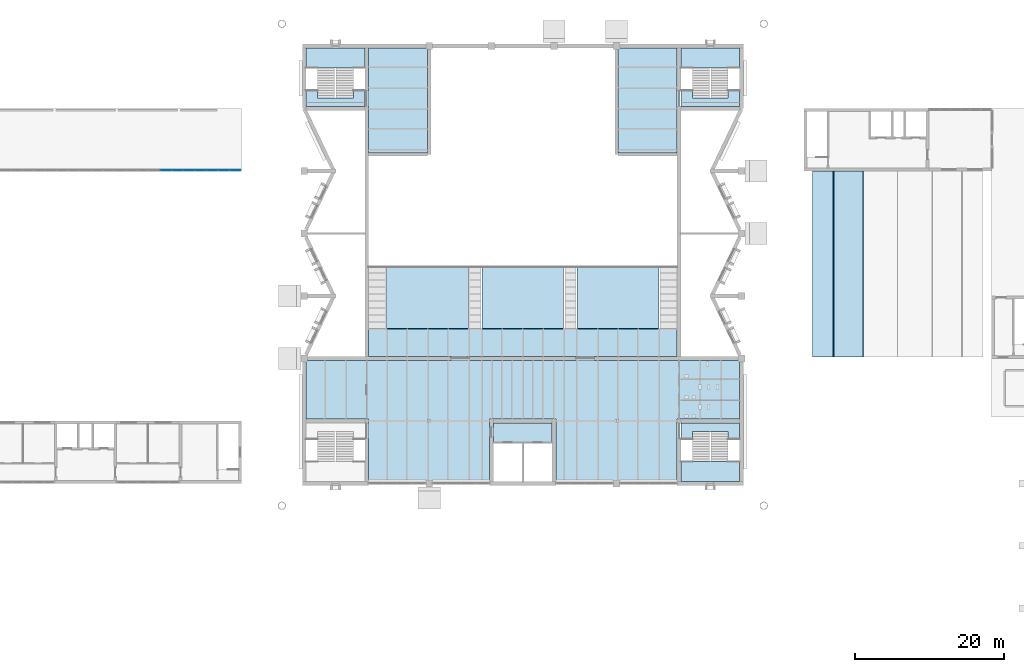
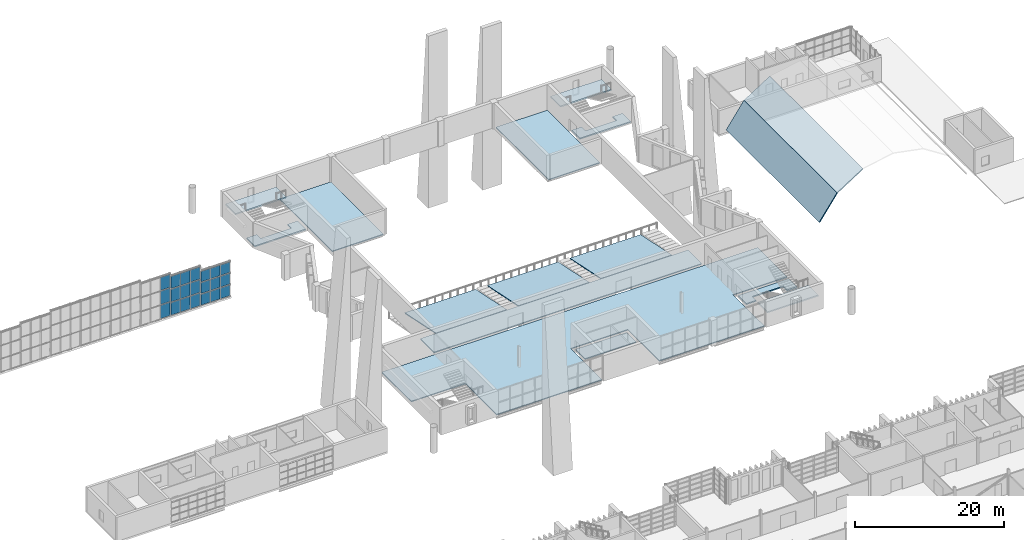
# One storey, part 54 of 100: 21 plates, 16 slabs, 6 elements without a shape of their own.
"""IFC4 building model written with IfcOpenShell, lengths in metres."""

from ifc_helpers import new_model, si_unit, direction, frame, origin, origin_2d, place, context, subcontext, project, spatial, polyline, rectangle, outline, extrude, material, layer, layer_set, type_object, element, aggregate, save


model = new_model("IFC4")

# Units and contexts
model_context = context("Model", 3, precision=1e-05, world=origin(), true_north=direction((0.0, 1.0)))
body_context = subcontext(model_context, "Body", "Model", "MODEL_VIEW")
ifc_project = project(units=[si_unit("LENGTHUNIT", "METRE"), si_unit("AREAUNIT", "SQUARE_METRE"), si_unit("VOLUMEUNIT", "CUBIC_METRE"), si_unit("PLANEANGLEUNIT", "RADIAN"), si_unit("MASSUNIT", "GRAM", prefix="KILO")], contexts=[model_context])

# Site, building, storey
site_placement = place(None, origin())
site = spatial("IfcSite", under=ifc_project, at=site_placement, CompositionType="ELEMENT")
building_placement = place(site_placement, origin())
building = spatial("IfcBuilding", under=site, at=building_placement, Name="Cresset Court Congress Hotel", CompositionType="ELEMENT")
storey_placement = place(building_placement, frame((0.0, 0.0, 10.199951171875)))
storey = spatial("IfcBuildingStorey", under=building, at=storey_placement, Name="L02", CompositionType="ELEMENT", Elevation=10.199951171875)

# Slabs
ifc_material_1 = material(Name="Concrete C35", Category="concrete")
ifc_layer_1 = layer(ifc_material_1, 0.14990234375)
ifc_layer_set_1 = layer_set([ifc_layer_1], Name="Balcony rear slab 150")
slab_type_1 = type_object("IfcSlabType", Name="Balcony rear slab 150", PredefinedType="FLOOR", material=ifc_layer_set_1)
slab_1_placement = place(storey_placement, frame((0.0, 0.0, -0.14990234375)))
element("IfcSlab", 1, at=slab_1_placement, inside=storey, type_object=slab_type_1, Name="Slab C-B1", PredefinedType="FLOOR", context=body_context, shape_type="SweptSolid", body=[
    extrude(outline(polyline([(108.949951171875, 75.85009765625), (108.949951171875, 79.550048828125), (67.449951171875, 79.550048828125), (67.449951171875, 75.85009765625), (108.949951171875, 75.85009765625)])), origin(), (0.0, 0.0, 1.0), 0.14990234375),
])
ifc_material_2 = material(Name="Concrete C35", Category="concrete")
ifc_layer_2 = layer(ifc_material_2, 0.14990234375)
ifc_layer_set_2 = layer_set([ifc_layer_2], Name="Balcony seating tier 150")
slab_type_2 = type_object("IfcSlabType", Name="Balcony seating tier 150", PredefinedType="USERDEFINED", material=ifc_layer_set_2)
for number, where, z_axis, x_axis, name in (
    (2, (69.89990234375, 88.0, -1.75), (0.0, 0.203956526624, 0.978979946295), (1.0, 0.0, 0.0), "Balcony seating tier BT-1"),
    (3, (82.699951171875, 88.0, -1.75), (0.0, 0.203956526624, 0.978979946295), (1.0, 0.0, 0.0), "Balcony seating tier BT-2"),
    (4, (95.5, 88.0, -1.75), (0.0, 0.203956526624, 0.978979946295), (1.0, 0.0, 0.0), "Balcony seating tier BT-3"),
):
    element("IfcSlab", number, at=place(storey_placement, frame(where, z_axis=z_axis, x_axis=x_axis)), inside=storey, type_object=slab_type_2, Name=name, ObjectType="SEATING TIER", PredefinedType="USERDEFINED", context=body_context, shape_type="SweptSolid", body=[
        extrude(outline(polyline([(0.0, 0.0), (11.0, 0.0), (11.0, -8.580259866958386), (0.0, -8.580259866958386), (0.0, 0.0)])), origin(), (0.0, 0.0, -1.0), 0.14990234375),
    ])
ifc_material_3 = material(Name="Concrete C35", Category="concrete")
ifc_layer_3 = layer(ifc_material_3, 0.14990234375)
ifc_layer_set_3 = layer_set([ifc_layer_3], Name="Composite floor slab 150")
slab_type_3 = type_object("IfcSlabType", Name="Composite floor slab 150", PredefinedType="FLOOR", material=ifc_layer_set_3)
slab_2_placement = place(storey_placement, frame((0.0, 0.0, -0.14990234375)))
element("IfcSlab", 5, at=slab_2_placement, inside=storey, type_object=slab_type_3, Name="Slab C-F02", PredefinedType="FLOOR", context=body_context, shape_type="SweptSolid", body=[
    extrude(outline(polyline([(108.949951171875, 59.050048828125), (92.64990234375, 59.050048828125), (92.64990234375, 67.449951171875), (83.75, 67.449951171875), (83.75, 59.050048828125), (67.449951171875, 59.050048828125), (67.449951171875, 67.449951171875), (59.050048828125, 67.449951171875), (59.050048828125, 75.35009765625), (117.35009765625, 75.35009765625), (117.35009765625, 67.449951171875), (108.949951171875, 67.449951171875), (108.949951171875, 59.050048828125)])), origin(), (0.0, 0.0, 1.0), 0.14990234375),
])
slab_3_placement = place(storey_placement, frame((0.0, 0.0, -0.14990234375)))
element("IfcSlab", 6, at=slab_3_placement, inside=storey, type_object=slab_type_3, Name="Slab C-W102", PredefinedType="FLOOR", context=body_context, shape_type="SweptSolid", body=[
    extrude(outline(polyline([(75.39990234375, 103.199951171875), (75.39990234375, 117.35009765625), (67.449951171875, 117.35009765625), (67.449951171875, 103.199951171875), (75.39990234375, 103.199951171875)])), origin(), (0.0, 0.0, 1.0), 0.14990234375),
])
slab_4_placement = place(storey_placement, frame((0.0, 0.0, -0.14990234375)))
element("IfcSlab", 7, at=slab_4_placement, inside=storey, type_object=slab_type_3, Name="Slab C-W202", PredefinedType="FLOOR", context=body_context, shape_type="SweptSolid", body=[
    extrude(outline(polyline([(108.949951171875, 103.199951171875), (108.949951171875, 117.35009765625), (101.0, 117.35009765625), (101.0, 103.199951171875), (108.949951171875, 103.199951171875)])), origin(), (0.0, 0.0, 1.0), 0.14990234375),
])
ifc_material_4 = material(Name="Concrete C50", Category="concrete")
ifc_layer_4 = layer(ifc_material_4, 0.14990234375)
ifc_layer_set_4 = layer_set([ifc_layer_4], Name="Concrete vault shell 150 C50")
slab_type_4 = type_object("IfcSlabType", Name="Concrete vault shell 150 C50", PredefinedType="ROOF", material=ifc_layer_set_4)
slab_5_placement = place(storey_placement, frame((127.129638671875, 75.800048828125, 0.435546875), z_axis=(-0.814168880747, 0.0, 0.580628137127), x_axis=(0.580628137127, 0.0, 0.814168880747)))
element("IfcSlab", 8, at=slab_5_placement, inside=storey, type_object=slab_type_4, Name="Vault shell facet 2", PredefinedType="ROOF", context=body_context, shape_type="SweptSolid", body=[
    extrude(outline(polyline([(0.0, 0.0), (4.771149544321715, 0.0), (4.771149544321715, 25.0), (0.0, 25.0), (0.0, 0.0)])), origin(), (0.0, 0.0, -1.0), 0.14990234375),
])
slab_6_placement = place(storey_placement, frame((129.89990234375, 75.800048828125, 4.320068359375), z_axis=(-0.540258352625, 0.0, 0.84149920524), x_axis=(0.84149920524, 0.0, 0.540258352625)))
element("IfcSlab", 9, at=slab_6_placement, inside=storey, type_object=slab_type_4, Name="Vault shell facet 3", PredefinedType="ROOF", context=body_context, shape_type="SweptSolid", body=[
    extrude(outline(polyline([(0.0, 0.0), (4.7711186809522435, 0.0), (4.7711186809522435, 25.0), (0.0, 25.0), (0.0, 0.0)])), origin(), (0.0, 0.0, -1.0), 0.14990234375),
])
ifc_material_5 = material(Name="Concrete C35", Category="concrete")
ifc_layer_5 = layer(ifc_material_5, 0.14990234375)
ifc_layer_set_5 = layer_set([ifc_layer_5], Name="Core floor slab 150")
slab_type_5 = type_object("IfcSlabType", Name="Core floor slab 150", PredefinedType="FLOOR", material=ifc_layer_set_5)
slab_7_placement = place(storey_placement, frame((0.0, 0.0, -0.14990234375)))
element("IfcSlab", 10, at=slab_7_placement, inside=storey, type_object=slab_type_5, Name="Slab CL-L02", PredefinedType="FLOOR", context=body_context, shape_type="SweptSolid", body=[
    extrude(outline(polyline([(92.14990234375, 64.39990234375), (92.14990234375, 66.949951171875), (84.25, 66.949951171875), (84.25, 64.39990234375), (92.14990234375, 64.39990234375)])), origin(), (0.0, 0.0, 1.0), 0.14990234375),
])
ifc_material_6 = material(Name="Concrete C35", Category="concrete")
ifc_layer_6 = layer(ifc_material_6, 0.199951171875)
ifc_layer_set_6 = layer_set([ifc_layer_6], Name="Core stair floor slab 200")
slab_type_6 = type_object("IfcSlabType", Name="Core stair floor slab 200", PredefinedType="FLOOR", material=ifc_layer_set_6)
slab_8_placement = place(storey_placement, frame((0.0, 0.0, -0.199951171875)))
element("IfcSlab", 11, at=slab_8_placement, inside=storey, type_object=slab_type_6, Name="Stair landing slab CC-C2L02", PredefinedType="FLOOR", context=body_context, shape_type="SweptSolid", body=[
    extrude(outline(polyline([(111.0, 64.75), (109.449951171875, 64.75), (109.449951171875, 65.79931640625), (109.449951171875, 66.949951171875), (111.0, 66.949951171875), (115.800048828125, 66.949951171875), (117.35009765625, 66.949951171875), (117.35009765625, 65.79931640625), (117.35009765625, 64.75), (115.800048828125, 64.75), (115.800048828125, 65.79931640625), (111.0, 65.79931640625), (111.0, 64.75)])), origin(), (0.0, 0.0, 1.0), 0.199951171875),
])
slab_9_placement = place(storey_placement, frame((0.0, 0.0, -0.199951171875)))
element("IfcSlab", 12, at=slab_9_placement, inside=storey, type_object=slab_type_6, Name="Stair landing slab CC-C3L02", PredefinedType="FLOOR", context=body_context, shape_type="SweptSolid", body=[
    extrude(outline(polyline([(66.949951171875, 109.449951171875), (65.39990234375, 109.449951171875), (60.60009765625, 109.449951171875), (59.050048828125, 109.449951171875), (59.050048828125, 110.600830078125), (59.050048828125, 111.64990234375), (60.60009765625, 111.64990234375), (60.60009765625, 110.600830078125), (65.39990234375, 110.600830078125), (65.39990234375, 111.64990234375), (66.949951171875, 111.64990234375), (66.949951171875, 110.600830078125), (66.949951171875, 109.449951171875)])), origin(), (0.0, 0.0, 1.0), 0.199951171875),
])
slab_10_placement = place(storey_placement, frame((0.0, 0.0, -0.199951171875)))
element("IfcSlab", 13, at=slab_10_placement, inside=storey, type_object=slab_type_6, Name="Stair landing slab CC-C4L02", PredefinedType="FLOOR", context=body_context, shape_type="SweptSolid", body=[
    extrude(outline(polyline([(117.35009765625, 109.449951171875), (115.800048828125, 109.449951171875), (111.0, 109.449951171875), (109.449951171875, 109.449951171875), (109.449951171875, 110.600830078125), (109.449951171875, 111.64990234375), (111.0, 111.64990234375), (111.0, 110.600830078125), (115.800048828125, 110.600830078125), (115.800048828125, 111.64990234375), (117.35009765625, 111.64990234375), (117.35009765625, 110.600830078125), (117.35009765625, 109.449951171875)])), origin(), (0.0, 0.0, 1.0), 0.199951171875),
])

# Stair, slab
ifc_material_7 = material(Name="Concrete C40", Category="concrete")
stair_type = type_object("IfcStairType", Name="Core stair", PredefinedType="STRAIGHT_RUN_STAIR", material=ifc_material_7)
stair_1_placement = place(storey_placement, origin())
stair_1 = element("IfcStair", 14, at=stair_1_placement, inside=storey, type_object=stair_type, Name="Stair ST-C2 L02", PredefinedType="STRAIGHT_RUN_STAIR")
ifc_material_8 = material(Name="Concrete C40", Category="concrete")
ifc_layer_7 = layer(ifc_material_8, 0.199951171875)
ifc_layer_set_7 = layer_set([ifc_layer_7], Name="Core stair landing")
slab_type_7 = type_object("IfcSlabType", Name="Core stair landing", PredefinedType="LANDING", material=ifc_layer_set_7)
slab_11_placement = place(storey_placement, frame((0.0, 0.0, 1.900146484375)))
slab_11 = element("IfcSlab", 15, at=slab_11_placement, type_object=slab_type_7, Name="C-ST landing 1", PredefinedType="LANDING", context=body_context, shape_type="SweptSolid", body=[
    extrude(outline(polyline([(117.35009765625, 59.050048828125), (117.35009765625, 61.719970703125), (109.449951171875, 61.719970703125), (109.449951171875, 59.050048828125), (117.35009765625, 59.050048828125)])), origin(), (0.0, 0.0, 1.0), 0.199951171875),
])
aggregate(stair_1, [slab_11])

stair_2_placement = place(storey_placement, origin())
stair_2 = element("IfcStair", 16, at=stair_2_placement, inside=storey, type_object=stair_type, Name="Stair ST-C3 L02", PredefinedType="STRAIGHT_RUN_STAIR")
slab_12_placement = place(storey_placement, frame((0.0, 0.0, 1.900146484375)))
slab_12 = element("IfcSlab", 17, at=slab_12_placement, type_object=slab_type_7, Name="C-ST landing 1", PredefinedType="LANDING", context=body_context, shape_type="SweptSolid", body=[
    extrude(outline(polyline([(66.949951171875, 114.679931640625), (66.949951171875, 117.35009765625), (59.050048828125, 117.35009765625), (59.050048828125, 114.679931640625), (66.949951171875, 114.679931640625)])), origin(), (0.0, 0.0, 1.0), 0.199951171875),
])
aggregate(stair_2, [slab_12])

stair_3_placement = place(storey_placement, origin())
stair_3 = element("IfcStair", 18, at=stair_3_placement, inside=storey, type_object=stair_type, Name="Stair ST-C4 L02", PredefinedType="STRAIGHT_RUN_STAIR")
slab_13_placement = place(storey_placement, frame((0.0, 0.0, 1.900146484375)))
slab_13 = element("IfcSlab", 19, at=slab_13_placement, type_object=slab_type_7, Name="C-ST landing 1", PredefinedType="LANDING", context=body_context, shape_type="SweptSolid", body=[
    extrude(outline(polyline([(117.35009765625, 114.679931640625), (117.35009765625, 117.35009765625), (109.449951171875, 117.35009765625), (109.449951171875, 114.679931640625), (117.35009765625, 114.679931640625)])), origin(), (0.0, 0.0, 1.0), 0.199951171875),
])
aggregate(stair_3, [slab_13])

# Curtain wall, plates
ifc_material_9 = material(Name="Aluminium frame with insulated glass", Category="aluminium")
curtain_wall_type = type_object("IfcCurtainWallType", Name="Curtain wall module 1500", PredefinedType="NOTDEFINED", material=ifc_material_9)
curtain_wall_1_placement = place(storey_placement, origin())
curtain_wall_1 = element("IfcCurtainWall", 20, at=curtain_wall_1_placement, inside=storey, type_object=curtain_wall_type, Name="Curtain wall G7", PredefinedType="NOTDEFINED")
ifc_material_10 = material(Name="Laminated glass", Category="glass")
ifc_layer_8 = layer(ifc_material_10, 0.028076171875)
ifc_layer_set_8 = layer_set([ifc_layer_8], Name="Curtain wall glass panel 28")
plate_type = type_object("IfcPlateType", Name="Curtain wall glass panel 28", PredefinedType="CURTAIN_PANEL", material=ifc_layer_set_8)
plate_1_placement = place(storey_placement, frame((40.221923828125, 100.89990234375, 0.1201171875), z_axis=(0.0, 0.0, 1.0), x_axis=(1.0, 0.0, 0.0)))
plate_1 = element("IfcPlate", 21, at=plate_1_placement, type_object=plate_type, Name="D-X4 panel 3.1", PredefinedType="CURTAIN_PANEL", context=body_context, shape_type="SweptSolid", body=[
    extrude(rectangle(XDim=1.458251953125, YDim=0.028076171875, at=origin_2d()), origin(), (0.0, 0.0, 1.0), 2.199951171875),
])
plate_2_placement = place(storey_placement, frame((40.221923828125, 100.89990234375, 2.440185546875), z_axis=(0.0, 0.0, 1.0), x_axis=(1.0, 0.0, 0.0)))
plate_2 = element("IfcPlate", 22, at=plate_2_placement, type_object=plate_type, Name="D-X4 panel 3.2", PredefinedType="CURTAIN_PANEL", context=body_context, shape_type="SweptSolid", body=[
    extrude(rectangle(XDim=1.458251953125, YDim=0.028076171875, at=origin_2d()), origin(), (0.0, 0.0, 1.0), 2.18994140625),
])
plate_3_placement = place(storey_placement, frame((40.221923828125, 100.89990234375, 4.75), z_axis=(0.0, 0.0, 1.0), x_axis=(1.0, 0.0, 0.0)))
plate_3 = element("IfcPlate", 23, at=plate_3_placement, type_object=plate_type, Name="D-X4 panel 3.3", PredefinedType="CURTAIN_PANEL", context=body_context, shape_type="SweptSolid", body=[
    extrude(rectangle(XDim=1.458251953125, YDim=0.028076171875, at=origin_2d()), origin(), (0.0, 0.0, 1.0), 2.1298828125),
])
aggregate(curtain_wall_1, [plate_1, plate_2, plate_3])

curtain_wall_2_placement = place(storey_placement, origin())
curtain_wall_2 = element("IfcCurtainWall", 24, at=curtain_wall_2_placement, inside=storey, type_object=curtain_wall_type, Name="Curtain wall G8", PredefinedType="NOTDEFINED")
plate_4_placement = place(storey_placement, frame((41.80029296875, 100.89990234375, 0.1201171875), z_axis=(0.0, 0.0, 1.0), x_axis=(1.0, 0.0, 0.0)))
plate_4 = element("IfcPlate", 25, at=plate_4_placement, type_object=plate_type, Name="D-X4 panel 1.1", PredefinedType="CURTAIN_PANEL", context=body_context, shape_type="SweptSolid", body=[
    extrude(rectangle(XDim=1.458251953125, YDim=0.028076171875, at=origin_2d()), origin(), (0.0, 0.0, 1.0), 2.06396484375),
])
plate_5_placement = place(storey_placement, frame((41.80029296875, 100.89990234375, 2.303955078125), z_axis=(0.0, 0.0, 1.0), x_axis=(1.0, 0.0, 0.0)))
plate_5 = element("IfcPlate", 26, at=plate_5_placement, type_object=plate_type, Name="D-X4 panel 1.2", PredefinedType="CURTAIN_PANEL", context=body_context, shape_type="SweptSolid", body=[
    extrude(rectangle(XDim=1.458251953125, YDim=0.028076171875, at=origin_2d()), origin(), (0.0, 0.0, 1.0), 2.05810546875),
])
plate_6_placement = place(storey_placement, frame((41.80029296875, 100.89990234375, 4.48193359375), z_axis=(0.0, 0.0, 1.0), x_axis=(1.0, 0.0, 0.0)))
plate_6 = element("IfcPlate", 27, at=plate_6_placement, type_object=plate_type, Name="D-X4 panel 1.3", PredefinedType="CURTAIN_PANEL", context=body_context, shape_type="SweptSolid", body=[
    extrude(rectangle(XDim=1.458251953125, YDim=0.028076171875, at=origin_2d()), origin(), (0.0, 0.0, 1.0), 1.998046875),
])
plate_7_placement = place(storey_placement, frame((43.333251953125, 100.89990234375, 0.1201171875), z_axis=(0.0, 0.0, 1.0), x_axis=(1.0, 0.0, 0.0)))
plate_7 = element("IfcPlate", 28, at=plate_7_placement, type_object=plate_type, Name="D-X4 panel 2.1", PredefinedType="CURTAIN_PANEL", context=body_context, shape_type="SweptSolid", body=[
    extrude(rectangle(XDim=1.48828125, YDim=0.028076171875, at=origin_2d()), origin(), (0.0, 0.0, 1.0), 2.06396484375),
])
plate_8_placement = place(storey_placement, frame((43.333251953125, 100.89990234375, 2.303955078125), z_axis=(0.0, 0.0, 1.0), x_axis=(1.0, 0.0, 0.0)))
plate_8 = element("IfcPlate", 29, at=plate_8_placement, type_object=plate_type, Name="D-X4 panel 2.2", PredefinedType="CURTAIN_PANEL", context=body_context, shape_type="SweptSolid", body=[
    extrude(rectangle(XDim=1.48828125, YDim=0.028076171875, at=origin_2d()), origin(), (0.0, 0.0, 1.0), 2.05810546875),
])
plate_9_placement = place(storey_placement, frame((43.333251953125, 100.89990234375, 4.48193359375), z_axis=(0.0, 0.0, 1.0), x_axis=(1.0, 0.0, 0.0)))
plate_9 = element("IfcPlate", 30, at=plate_9_placement, type_object=plate_type, Name="D-X4 panel 2.3", PredefinedType="CURTAIN_PANEL", context=body_context, shape_type="SweptSolid", body=[
    extrude(rectangle(XDim=1.48828125, YDim=0.028076171875, at=origin_2d()), origin(), (0.0, 0.0, 1.0), 1.998046875),
])
plate_10_placement = place(storey_placement, frame((44.866455078125, 100.89990234375, 0.1201171875), z_axis=(0.0, 0.0, 1.0), x_axis=(1.0, 0.0, 0.0)))
plate_10 = element("IfcPlate", 31, at=plate_10_placement, type_object=plate_type, Name="D-X4 panel 3.1", PredefinedType="CURTAIN_PANEL", context=body_context, shape_type="SweptSolid", body=[
    extrude(rectangle(XDim=1.458251953125, YDim=0.028076171875, at=origin_2d()), origin(), (0.0, 0.0, 1.0), 2.06396484375),
])
plate_11_placement = place(storey_placement, frame((44.866455078125, 100.89990234375, 2.303955078125), z_axis=(0.0, 0.0, 1.0), x_axis=(1.0, 0.0, 0.0)))
plate_11 = element("IfcPlate", 32, at=plate_11_placement, type_object=plate_type, Name="D-X4 panel 3.2", PredefinedType="CURTAIN_PANEL", context=body_context, shape_type="SweptSolid", body=[
    extrude(rectangle(XDim=1.458251953125, YDim=0.028076171875, at=origin_2d()), origin(), (0.0, 0.0, 1.0), 2.05810546875),
])
plate_12_placement = place(storey_placement, frame((44.866455078125, 100.89990234375, 4.48193359375), z_axis=(0.0, 0.0, 1.0), x_axis=(1.0, 0.0, 0.0)))
plate_12 = element("IfcPlate", 33, at=plate_12_placement, type_object=plate_type, Name="D-X4 panel 3.3", PredefinedType="CURTAIN_PANEL", context=body_context, shape_type="SweptSolid", body=[
    extrude(rectangle(XDim=1.458251953125, YDim=0.028076171875, at=origin_2d()), origin(), (0.0, 0.0, 1.0), 1.998046875),
])
aggregate(curtain_wall_2, [plate_4, plate_5, plate_6, plate_7, plate_8, plate_9, plate_10, plate_11, plate_12])

curtain_wall_3_placement = place(storey_placement, origin())
curtain_wall_3 = element("IfcCurtainWall", 34, at=curtain_wall_3_placement, inside=storey, type_object=curtain_wall_type, Name="Curtain wall G9", PredefinedType="NOTDEFINED")
plate_13_placement = place(storey_placement, frame((46.444580078125, 100.89990234375, 0.1201171875), z_axis=(0.0, 0.0, 1.0), x_axis=(1.0, 0.0, 0.0)))
plate_13 = element("IfcPlate", 35, at=plate_13_placement, type_object=plate_type, Name="D-X4 panel 1.1", PredefinedType="CURTAIN_PANEL", context=body_context, shape_type="SweptSolid", body=[
    extrude(rectangle(XDim=1.458251953125, YDim=0.028076171875, at=origin_2d()), origin(), (0.0, 0.0, 1.0), 1.7919921875),
])
plate_14_placement = place(storey_placement, frame((46.444580078125, 100.89990234375, 2.031982421875), z_axis=(0.0, 0.0, 1.0), x_axis=(1.0, 0.0, 0.0)))
plate_14 = element("IfcPlate", 36, at=plate_14_placement, type_object=plate_type, Name="D-X4 panel 1.2", PredefinedType="CURTAIN_PANEL", context=body_context, shape_type="SweptSolid", body=[
    extrude(rectangle(XDim=1.458251953125, YDim=0.028076171875, at=origin_2d()), origin(), (0.0, 0.0, 1.0), 1.7939453125),
])
plate_15_placement = place(storey_placement, frame((46.444580078125, 100.89990234375, 3.946044921875), z_axis=(0.0, 0.0, 1.0), x_axis=(1.0, 0.0, 0.0)))
plate_15 = element("IfcPlate", 37, at=plate_15_placement, type_object=plate_type, Name="D-X4 panel 1.3", PredefinedType="CURTAIN_PANEL", context=body_context, shape_type="SweptSolid", body=[
    extrude(rectangle(XDim=1.458251953125, YDim=0.028076171875, at=origin_2d()), origin(), (0.0, 0.0, 1.0), 1.73388671875),
])
plate_16_placement = place(storey_placement, frame((47.977783203125, 100.89990234375, 0.1201171875), z_axis=(0.0, 0.0, 1.0), x_axis=(1.0, 0.0, 0.0)))
plate_16 = element("IfcPlate", 38, at=plate_16_placement, type_object=plate_type, Name="D-X4 panel 2.1", PredefinedType="CURTAIN_PANEL", context=body_context, shape_type="SweptSolid", body=[
    extrude(rectangle(XDim=1.488037109375, YDim=0.028076171875, at=origin_2d()), origin(), (0.0, 0.0, 1.0), 1.7919921875),
])
plate_17_placement = place(storey_placement, frame((47.977783203125, 100.89990234375, 2.031982421875), z_axis=(0.0, 0.0, 1.0), x_axis=(1.0, 0.0, 0.0)))
plate_17 = element("IfcPlate", 39, at=plate_17_placement, type_object=plate_type, Name="D-X4 panel 2.2", PredefinedType="CURTAIN_PANEL", context=body_context, shape_type="SweptSolid", body=[
    extrude(rectangle(XDim=1.488037109375, YDim=0.028076171875, at=origin_2d()), origin(), (0.0, 0.0, 1.0), 1.7939453125),
])
plate_18_placement = place(storey_placement, frame((47.977783203125, 100.89990234375, 3.946044921875), z_axis=(0.0, 0.0, 1.0), x_axis=(1.0, 0.0, 0.0)))
plate_18 = element("IfcPlate", 40, at=plate_18_placement, type_object=plate_type, Name="D-X4 panel 2.3", PredefinedType="CURTAIN_PANEL", context=body_context, shape_type="SweptSolid", body=[
    extrude(rectangle(XDim=1.488037109375, YDim=0.028076171875, at=origin_2d()), origin(), (0.0, 0.0, 1.0), 1.73388671875),
])
plate_19_placement = place(storey_placement, frame((49.510986328125, 100.89990234375, 0.1201171875), z_axis=(0.0, 0.0, 1.0), x_axis=(1.0, 0.0, 0.0)))
plate_19 = element("IfcPlate", 41, at=plate_19_placement, type_object=plate_type, Name="D-X4 panel 3.1", PredefinedType="CURTAIN_PANEL", context=body_context, shape_type="SweptSolid", body=[
    extrude(rectangle(XDim=1.458251953125, YDim=0.028076171875, at=origin_2d()), origin(), (0.0, 0.0, 1.0), 1.7919921875),
])
plate_20_placement = place(storey_placement, frame((49.510986328125, 100.89990234375, 2.031982421875), z_axis=(0.0, 0.0, 1.0), x_axis=(1.0, 0.0, 0.0)))
plate_20 = element("IfcPlate", 42, at=plate_20_placement, type_object=plate_type, Name="D-X4 panel 3.2", PredefinedType="CURTAIN_PANEL", context=body_context, shape_type="SweptSolid", body=[
    extrude(rectangle(XDim=1.458251953125, YDim=0.028076171875, at=origin_2d()), origin(), (0.0, 0.0, 1.0), 1.7939453125),
])
plate_21_placement = place(storey_placement, frame((49.510986328125, 100.89990234375, 3.946044921875), z_axis=(0.0, 0.0, 1.0), x_axis=(1.0, 0.0, 0.0)))
plate_21 = element("IfcPlate", 43, at=plate_21_placement, type_object=plate_type, Name="D-X4 panel 3.3", PredefinedType="CURTAIN_PANEL", context=body_context, shape_type="SweptSolid", body=[
    extrude(rectangle(XDim=1.458251953125, YDim=0.028076171875, at=origin_2d()), origin(), (0.0, 0.0, 1.0), 1.73388671875),
])
aggregate(curtain_wall_3, [plate_13, plate_14, plate_15, plate_16, plate_17, plate_18, plate_19, plate_20, plate_21])

save(model, "model.ifc")
